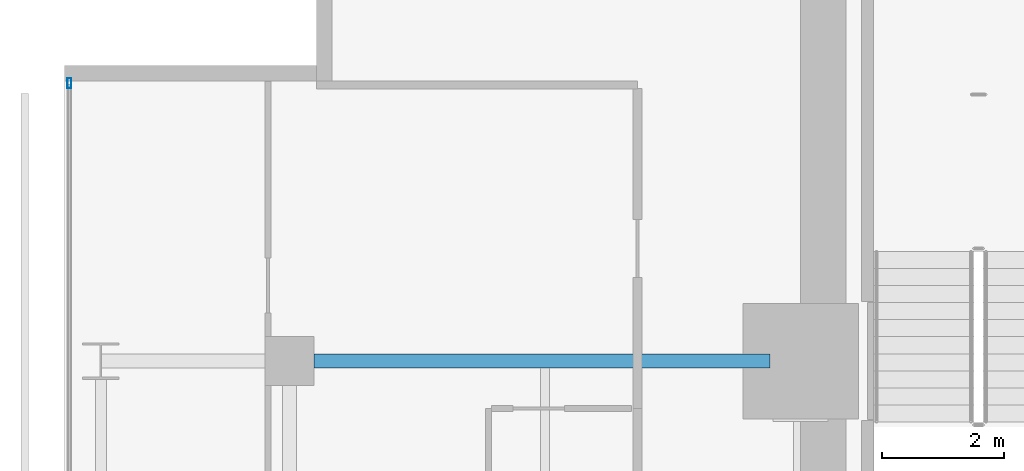
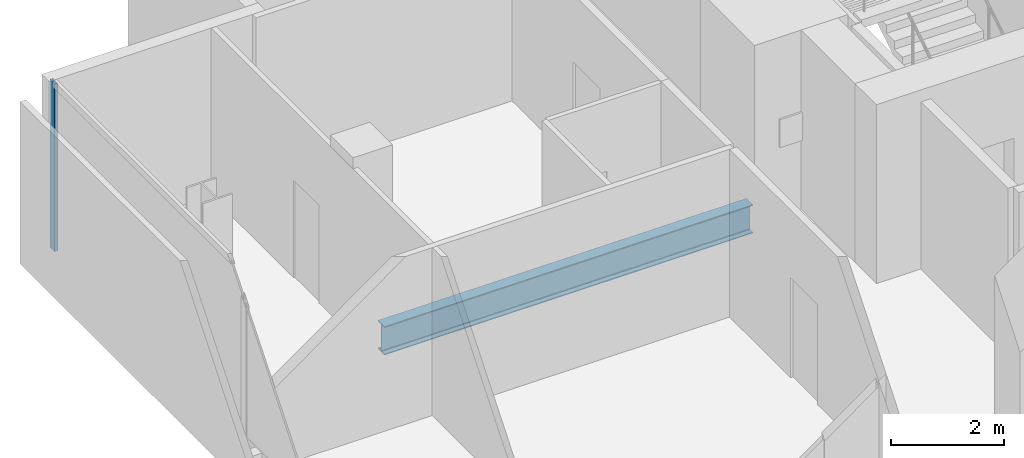
# One storey, part 20 of 33: 1 beam, 1 member, 1 element without a shape of its own.
"""IFC4 building model written with IfcOpenShell, lengths in metres."""

from ifc_helpers import new_model, si_unit, direction, frame, origin, origin_2d, place, context, subcontext, project, spatial, hollow_rectangle, i_section, extrude, material, layer, layer_set, material_profile, profile_set, type_object, element, aggregate, save


model = new_model("IFC4")

# Units and contexts
model_context = context("Model", 3, precision=1e-05, world=origin(), true_north=direction((0.0, 1.0)))
body_context = subcontext(model_context, "Body", "Model", "MODEL_VIEW")
ifc_project = project(units=[si_unit("LENGTHUNIT", "METRE"), si_unit("AREAUNIT", "SQUARE_METRE"), si_unit("VOLUMEUNIT", "CUBIC_METRE"), si_unit("PLANEANGLEUNIT", "RADIAN"), si_unit("MASSUNIT", "GRAM", prefix="KILO")], contexts=[model_context])

# Site, building, storey
site_placement = place(None, origin())
site = spatial("IfcSite", under=ifc_project, at=site_placement, CompositionType="ELEMENT")
building_placement = place(site_placement, origin())
building = spatial("IfcBuilding", under=site, at=building_placement, Name="Maruvema Waterfront Hotel and Observation Tower", CompositionType="ELEMENT")
storey_placement = place(building_placement, frame((0.0, 0.0, 138.949951171875)))
storey = spatial("IfcBuildingStorey", under=building, at=storey_placement, Name="L33", CompositionType="ELEMENT", Elevation=138.949951171875)

# Curtain wall, member
ifc_material_1 = material(Name="Anodised bronze aluminium and solar-control low-E IGU", Category="aluminium")
ifc_layer = layer(ifc_material_1, 0.159912109375, Name="Zone 2 Amber Inner Thermal Curtain Wall System CW-03")
ifc_layer_set = layer_set([ifc_layer], Name="Anodised bronze aluminium and solar-control low-E IGU")
curtain_wall_type = type_object("IfcCurtainWallType", Name="Zone 2 Amber Inner Thermal Curtain Wall System CW-03", PredefinedType="USERDEFINED", material=ifc_layer_set)
curtain_wall_placement = place(storey_placement, origin())
curtain_wall = element("IfcCurtainWall", 1, at=curtain_wall_placement, inside=storey, type_object=curtain_wall_type, Name="L33 Curtain Wall CW-L33-W", ObjectType="UNITISED CURTAIN WALL", PredefinedType="USERDEFINED")
ifc_material_2 = material(Name="Anodised architectural bronze aluminium", Category="aluminium")
ifc_material_profile_1 = material_profile(ifc_material_2, hollow_rectangle(XDim=0.06494140625, YDim=0.1650390625, WallThickness=0.00390625, at=origin_2d()), Name="ALU-M65x165")
ifc_profile_set_1 = profile_set([ifc_material_profile_1], Name="Anodised architectural bronze aluminium")
member_type = type_object("IfcMemberType", Name="Curtain Wall Primary Mullion ALU-M65x165", PredefinedType="MULLION", material=ifc_profile_set_1)
member_placement = place(storey_placement, frame((13.179931640625, 49.570068359375, 0.0), z_axis=(0.0, 0.0, 1.0), x_axis=(1.0, 0.0, 0.0)))
member = element("IfcMember", 2, at=member_placement, type_object=member_type, Name="CW-03 mullion 1", PredefinedType="MULLION", context=body_context, shape_type="SweptSolid", body=[
    extrude(hollow_rectangle(XDim=0.06494140625, YDim=0.1650390625, WallThickness=0.00390625, at=origin_2d()), origin(), (0.0, 0.0, 1.0), 3.610107421875),
])
aggregate(curtain_wall, [member])

# Beam
ifc_material_3 = material(Name="Steel ASTM A572 Grade 50", Category="steel")
ifc_material_profile_2 = material_profile(ifc_material_3, i_section(OverallWidth=0.22900390625, OverallDepth=0.612060546875, WebThickness=0.011962890625, FlangeThickness=0.01953125, FilletRadius=0.01806640625, at=origin_2d()), Name="W610x125.0")
ifc_profile_set_2 = profile_set([ifc_material_profile_2], Name="Steel ASTM A572 Grade 50")
beam_type = type_object("IfcBeamType", Name="Primary Floor Girder W610x125.0", PredefinedType="BEAM", material=ifc_profile_set_2)
beam_placement = place(storey_placement, frame((17.199951171875, 45.0, -0.5458984375), z_axis=(1.0, 0.0, 0.0), x_axis=(0.0, 1.0, 0.0)))
element("IfcBeam", 3, at=beam_placement, inside=storey, type_object=beam_type, Name="L33 Floor Girder EW-31", PredefinedType="BEAM", context=body_context, shape_type="SweptSolid", body=[
    extrude(i_section(OverallWidth=0.22900390625, OverallDepth=0.612060546875, WebThickness=0.011962890625, FlangeThickness=0.01953125, FilletRadius=0.01806640625, at=origin_2d()), origin(), (0.0, 0.0, 1.0), 7.5),
])

save(model, "model.ifc")
